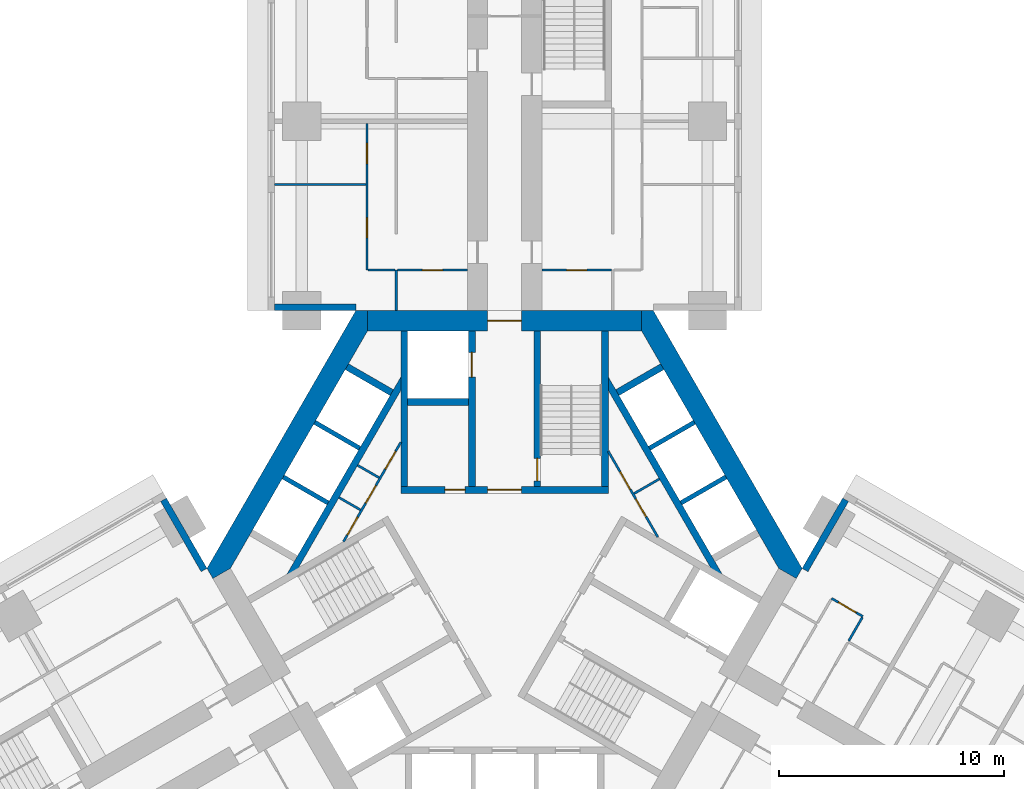
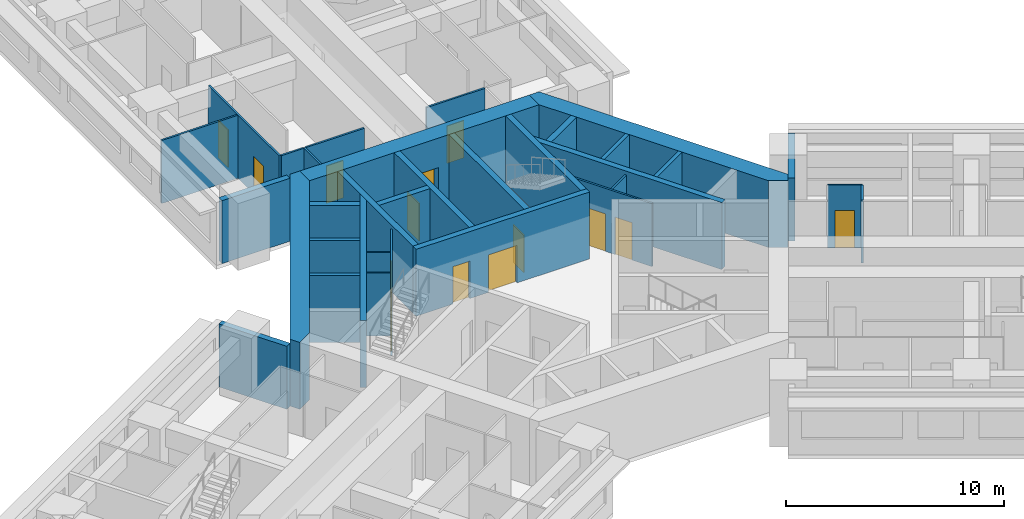
# One storey, part 8 of 16: 33 walls, 15 doors, 15 openings.
"""IFC4 building model written with IfcOpenShell, lengths in metres."""

from ifc_helpers import new_model, si_unit, direction, frame, frame_2d, origin, place, context, subcontext, project, spatial, polyline, rectangle, outline, extrude, material, layer, layer_set, type_object, element, fill, save


model = new_model("IFC4")

# Units and contexts
model_context = context("Model", 3, precision=1e-05, world=origin(), true_north=direction((0.0, 1.0)))
body_context = subcontext(model_context, "Body", "Model", "MODEL_VIEW")
ifc_project = project(units=[si_unit("LENGTHUNIT", "METRE"), si_unit("AREAUNIT", "SQUARE_METRE"), si_unit("VOLUMEUNIT", "CUBIC_METRE"), si_unit("PLANEANGLEUNIT", "RADIAN"), si_unit("MASSUNIT", "GRAM", prefix="KILO")], contexts=[model_context])

# Site, building, storey
site_placement = place(None, origin())
site = spatial("IfcSite", under=ifc_project, at=site_placement, CompositionType="ELEMENT")
building_placement = place(site_placement, origin())
building = spatial("IfcBuilding", under=site, at=building_placement, Name="Impinga Residences", CompositionType="ELEMENT")
storey_placement = place(building_placement, frame((0.0, 0.0, 44.75)))
storey = spatial("IfcBuildingStorey", under=building, at=storey_placement, Name="L10", CompositionType="ELEMENT", Elevation=44.75)

# Wall, openings, doors
ifc_material_1 = material(Name="Concrete blockwork", Category="masonry")
ifc_layer_1 = layer(ifc_material_1, 0.10009765625)
ifc_layer_set_1 = layer_set([ifc_layer_1], Name="CP1 core room partition, blockwork 100")
wall_type_1 = type_object("IfcWallType", Name="CP1 core room partition, blockwork 100", PredefinedType="PARTITIONING", material=ifc_layer_set_1)
wall_1_placement = place(storey_placement, frame((4.60009765625, 5.195556640625, 0.0), z_axis=(0.0, 0.0, 1.0), x_axis=(0.500001098885, -0.866024769342, 0.0)))
wall_1 = element("IfcWall", 1, at=wall_1_placement, inside=storey, type_object=wall_type_1, Name="Core room partition, blockwork L10:CORE:mid:FP", PredefinedType="PARTITIONING", context=body_context, shape_type="SweptSolid", body=[
    extrude(rectangle(XDim=4.39892578125, YDim=0.10009765625, at=frame_2d((2.199462890625, 0.0))), origin(), (0.0, 0.0, 1.0), 3.530029296875),
])
opening_1_placement = place(wall_1_placement, frame((1.049560546875, 0.0, 0.0)))
opening_1 = element("IfcOpeningElement", 2, at=opening_1_placement, cuts=wall_1, Name="Opening D6", PredefinedType="OPENING", context=body_context, shape_type="SweptSolid", body=[
    extrude(rectangle(XDim=0.89990234375, YDim=2.10009765625, at=frame_2d((0.449951171875, 1.050048828125))), frame((0.0, 0.06005859375, 0.0), z_axis=(0.0, -1.0, 0.0), x_axis=(1.0, 0.0, 0.0)), (0.0, 0.0, 1.0), 0.1201171875),
])
opening_2_placement = place(wall_1_placement, frame((2.449462890625, 0.0, 0.0)))
opening_2 = element("IfcOpeningElement", 3, at=opening_2_placement, cuts=wall_1, Name="Opening D6", PredefinedType="OPENING", context=body_context, shape_type="SweptSolid", body=[
    extrude(rectangle(XDim=0.89990234375, YDim=2.10009765625, at=frame_2d((0.449951171875, 1.050048828125))), frame((0.0, 0.06005859375, 0.0), z_axis=(0.0, -1.0, 0.0), x_axis=(1.0, 0.0, 0.0)), (0.0, 0.0, 1.0), 0.1201171875),
])
ifc_material_2 = material(Name="Timber door set", Category="wood")
door_type_1 = type_object("IfcDoorType", Name="D6 riser and store door 900x2100", OperationType="SINGLE_SWING_LEFT", PredefinedType="DOOR", material=ifc_material_2)
door_1_placement = place(opening_1_placement, origin())
door_1 = element("IfcDoor", 4, at=door_1_placement, inside=storey, type_object=door_type_1, Name="Cleaners' store door", OperationType="SINGLE_SWING_LEFT", OverallHeight=2.10009765625, OverallWidth=0.89990234375, PredefinedType="DOOR", context=body_context, shape_type="SweptSolid", body=[
    extrude(rectangle(XDim=0.89990234375, YDim=2.10009765625, at=frame_2d((0.449951171875, 1.050048828125))), frame((0.0, 0.02490234375, 0.0), z_axis=(0.0, -1.0, 0.0), x_axis=(1.0, 0.0, 0.0)), (0.0, 0.0, 1.0), 0.050048828125),
])
fill(opening_1, door_1)
door_2_placement = place(opening_2_placement, origin())
door_2 = element("IfcDoor", 5, at=door_2_placement, inside=storey, type_object=door_type_1, Name="Parcel store door", OperationType="SINGLE_SWING_RIGHT", OverallHeight=2.10009765625, OverallWidth=0.89990234375, PredefinedType="DOOR", context=body_context, shape_type="SweptSolid", body=[
    extrude(rectangle(XDim=0.89990234375, YDim=2.10009765625, at=frame_2d((0.449951171875, 1.050048828125))), frame((0.0, 0.02490234375, 0.0), z_axis=(0.0, -1.0, 0.0), x_axis=(1.0, 0.0, 0.0)), (0.0, 0.0, 1.0), 0.050048828125),
])
fill(opening_2, door_2)

# Wall
wall_2_placement = place(storey_placement, frame((5.7431640625, 3.315673828125, 0.0), z_axis=(0.0, 0.0, 1.0), x_axis=(0.86595725628, 0.500118016368, 0.0)))
element("IfcWall", 6, at=wall_2_placement, inside=storey, type_object=wall_type_1, Name="Core room partition, blockwork L10:CORE:mid:FS", PredefinedType="PARTITIONING", context=body_context, shape_type="SweptSolid", body=[
    extrude(rectangle(XDim=1.300048828125, YDim=0.10009765625, at=frame_2d((0.64990234375, 0.0))), origin(), (0.0, 0.0, 1.0), 3.530029296875),
])

# Wall, openings, doors
wall_3_placement = place(storey_placement, frame((-7.14599609375, 1.185791015625, 0.0), z_axis=(0.0, 0.0, 1.0), x_axis=(0.499975622669, 0.866039477586, 0.0)))
wall_3 = element("IfcWall", 7, at=wall_3_placement, inside=storey, type_object=wall_type_1, Name="Core room partition, blockwork L10:CORE:high:FP", PredefinedType="PARTITIONING", context=body_context, shape_type="SweptSolid", body=[
    extrude(rectangle(XDim=5.092041015625, YDim=0.10009765625, at=frame_2d((2.5458984375, 0.0))), origin(), (0.0, 0.0, 1.0), 3.530029296875),
])
opening_3_placement = place(wall_3_placement, frame((0.347900390625, 0.0, 0.0)))
opening_3 = element("IfcOpeningElement", 8, at=opening_3_placement, cuts=wall_3, Name="Opening D6", PredefinedType="OPENING", context=body_context, shape_type="SweptSolid", body=[
    extrude(rectangle(XDim=0.89990234375, YDim=2.10009765625, at=frame_2d((0.449951171875, 1.050048828125))), frame((0.0, 0.06005859375, 0.0), z_axis=(0.0, -1.0, 0.0), x_axis=(1.0, 0.0, 0.0)), (0.0, 0.0, 1.0), 0.1201171875),
])
opening_4_placement = place(wall_3_placement, frame((1.970947265625, 0.0, 0.0)))
opening_4 = element("IfcOpeningElement", 9, at=opening_4_placement, cuts=wall_3, Name="Opening D6", PredefinedType="OPENING", context=body_context, shape_type="SweptSolid", body=[
    extrude(rectangle(XDim=0.89990234375, YDim=2.10009765625, at=frame_2d((0.449951171875, 1.050048828125))), frame((0.0, 0.06005859375, 0.0), z_axis=(0.0, -1.0, 0.0), x_axis=(1.0, 0.0, 0.0)), (0.0, 0.0, 1.0), 0.1201171875),
])
opening_5_placement = place(wall_3_placement, frame((3.718994140625, 0.0, 0.0)))
opening_5 = element("IfcOpeningElement", 10, at=opening_5_placement, cuts=wall_3, Name="Opening D6", PredefinedType="OPENING", context=body_context, shape_type="SweptSolid", body=[
    extrude(rectangle(XDim=0.89990234375, YDim=2.10009765625, at=frame_2d((0.449951171875, 1.050048828125))), frame((0.0, 0.06005859375, 0.0), z_axis=(0.0, -1.0, 0.0), x_axis=(1.0, 0.0, 0.0)), (0.0, 0.0, 1.0), 0.1201171875),
])
door_3_placement = place(opening_3_placement, origin())
door_3 = element("IfcDoor", 11, at=door_3_placement, inside=storey, type_object=door_type_1, Name="Riser cupboard door", OperationType="SINGLE_SWING_LEFT", OverallHeight=2.10009765625, OverallWidth=0.89990234375, PredefinedType="DOOR", context=body_context, shape_type="SweptSolid", body=[
    extrude(rectangle(XDim=0.89990234375, YDim=2.10009765625, at=frame_2d((0.449951171875, 1.050048828125))), frame((0.0, 0.02490234375, 0.0), z_axis=(0.0, -1.0, 0.0), x_axis=(1.0, 0.0, 0.0)), (0.0, 0.0, 1.0), 0.050048828125),
])
fill(opening_3, door_3)
door_4_placement = place(opening_4_placement, origin())
door_4 = element("IfcDoor", 12, at=door_4_placement, inside=storey, type_object=door_type_1, Name="Linen store door", OperationType="SINGLE_SWING_LEFT", OverallHeight=2.10009765625, OverallWidth=0.89990234375, PredefinedType="DOOR", context=body_context, shape_type="SweptSolid", body=[
    extrude(rectangle(XDim=0.89990234375, YDim=2.10009765625, at=frame_2d((0.449951171875, 1.050048828125))), frame((0.0, 0.02490234375, 0.0), z_axis=(0.0, -1.0, 0.0), x_axis=(1.0, 0.0, 0.0)), (0.0, 0.0, 1.0), 0.050048828125),
])
fill(opening_4, door_4)
door_5_placement = place(opening_5_placement, origin())
door_5 = element("IfcDoor", 13, at=door_5_placement, inside=storey, type_object=door_type_1, Name="Bulky waste store door", OperationType="SINGLE_SWING_RIGHT", OverallHeight=2.10009765625, OverallWidth=0.89990234375, PredefinedType="DOOR", context=body_context, shape_type="SweptSolid", body=[
    extrude(rectangle(XDim=0.89990234375, YDim=2.10009765625, at=frame_2d((0.449951171875, 1.050048828125))), frame((0.0, 0.02490234375, 0.0), z_axis=(0.0, -1.0, 0.0), x_axis=(1.0, 0.0, 0.0)), (0.0, 0.0, 1.0), 0.050048828125),
])
fill(opening_5, door_5)

# Walls
for number, where, z_axis, x_axis, name in (
    (14, (-6.391357421875, 2.593017578125, 0.0), (0.0, 0.0, 1.0), (-0.866008176907, 0.50002983664, 0.0), "Core room partition, blockwork L10:CORE:high:FS1"),
    (15, (-5.566162109375, 4.02197265625, 0.0), (0.0, 0.0, 1.0), (-0.866008176907, 0.50002983664, 0.0), "Core room partition, blockwork L10:CORE:high:FS2"),
):
    element("IfcWall", number, at=place(storey_placement, frame(where, z_axis=z_axis, x_axis=x_axis)), inside=storey, type_object=wall_type_1, Name=name, PredefinedType="PARTITIONING", context=body_context, shape_type="SweptSolid", body=[
        extrude(rectangle(XDim=1.10009765625, YDim=0.10009765625, at=frame_2d((0.550048828125, 0.0))), origin(), (0.0, 0.0, 1.0), 3.530029296875),
    ])
ifc_material_3 = material(Name="Terracotta rainscreen on blockwork", Category="masonry")
ifc_layer_2 = layer(ifc_material_3, 0.300048828125)
ifc_layer_set_2 = layer_set([ifc_layer_2], Name="EW1 external wall, terracotta rainscreen on blockwork 300")
wall_type_2 = type_object("IfcWallType", Name="EW1 external wall, terracotta rainscreen on blockwork 300", PredefinedType="SOLIDWALL", material=ifc_layer_set_2)
wall_4_placement = place(storey_placement, frame((-15.1298828125, 3.042724609375, 0.0), z_axis=(0.0, 0.0, 1.0), x_axis=(0.500012057535, -0.866018442252, 0.0)))
element("IfcWall", 16, at=wall_4_placement, inside=storey, type_object=wall_type_2, Name="External wall EW1 L10", PredefinedType="SOLIDWALL", context=body_context, shape_type="SweptSolid", body=[
    extrude(rectangle(XDim=3.60009765625, YDim=0.300048828125, at=frame_2d((1.800048828125, 0.0))), origin(), (0.0, 0.0, 1.0), 3.530029296875),
])
wall_5_placement = place(storey_placement, frame((-6.60009765625, 11.58154296875, 0.0), z_axis=(0.0, 0.0, 1.0), x_axis=(-1.0, 0.0, 0.0)))
element("IfcWall", 17, at=wall_5_placement, inside=storey, type_object=wall_type_2, Name="External wall EW1 L10", PredefinedType="SOLIDWALL", context=body_context, shape_type="SweptSolid", body=[
    extrude(rectangle(XDim=3.599853515625, YDim=0.300048828125, at=frame_2d((1.7998046875, 0.0))), origin(), (0.0, 0.0, 1.0), 3.530029296875),
])
wall_6_placement = place(storey_placement, frame((13.329833984375, -0.074951171875, 0.0), z_axis=(0.0, 0.0, 1.0), x_axis=(0.500012057535, 0.866018442252, 0.0)))
element("IfcWall", 18, at=wall_6_placement, inside=storey, type_object=wall_type_2, Name="External wall EW1 L10", PredefinedType="SOLIDWALL", context=body_context, shape_type="SweptSolid", body=[
    extrude(rectangle(XDim=3.60009765625, YDim=0.300048828125, at=frame_2d((1.800048828125, 0.0))), origin(), (0.0, 0.0, 1.0), 3.530029296875),
])
ifc_material_4 = material(Name="Gypsum board on steel studs", Category="steel")
ifc_layer_3 = layer(ifc_material_4, 0.10009765625)
ifc_layer_set_3 = layer_set([ifc_layer_3], Name="Gypsum board on steel studs")
wall_type_3 = type_object("IfcWallType", Name="IP1 partition 100", PredefinedType="PARTITIONING", material=ifc_layer_set_3)
wall_7_placement = place(storey_placement, frame((-4.800048828125, 11.431640625, 0.0), z_axis=(0.0, 0.0, 1.0), x_axis=(0.0, 1.0, 0.0)))
element("IfcWall", 19, at=wall_7_placement, inside=storey, type_object=wall_type_3, Name="Partition L10-NA1:DIV0", PredefinedType="PARTITIONING", context=body_context, shape_type="SweptSolid", body=[
    extrude(rectangle(XDim=1.7998046875, YDim=0.10009765625, at=frame_2d((0.89990234375, 0.0))), origin(), (0.0, 0.0, 1.0), 3.530029296875),
])

# Wall, openings, doors
wall_8_placement = place(storey_placement, frame((-6.10009765625, 13.2314453125, 0.0), z_axis=(0.0, 0.0, 1.0), x_axis=(0.0, 1.0, 0.0)))
wall_8 = element("IfcWall", 20, at=wall_8_placement, inside=storey, type_object=wall_type_3, Name="Partition L10-NA1:STRIP", PredefinedType="PARTITIONING", context=body_context, shape_type="SweptSolid", body=[
    extrude(rectangle(XDim=6.5, YDim=0.10009765625, at=frame_2d((3.25, 0.0))), origin(), (0.0, 0.0, 1.0), 3.530029296875),
])
opening_6_placement = place(wall_8_placement, frame((1.425048828125, 0.0, 0.0)))
opening_6 = element("IfcOpeningElement", 21, at=opening_6_placement, cuts=wall_8, Name="Opening D2", PredefinedType="OPENING", context=body_context, shape_type="SweptSolid", body=[
    extrude(rectangle(XDim=0.89990234375, YDim=2.10009765625, at=frame_2d((0.449951171875, 1.050048828125))), frame((0.0, 0.06005859375, 0.0), z_axis=(0.0, -1.0, 0.0), x_axis=(1.0, 0.0, 0.0)), (0.0, 0.0, 1.0), 0.1201171875),
])
opening_7_placement = place(wall_8_placement, frame((4.72509765625, 0.0, 0.0)))
opening_7 = element("IfcOpeningElement", 22, at=opening_7_placement, cuts=wall_8, Name="Opening D2", PredefinedType="OPENING", context=body_context, shape_type="SweptSolid", body=[
    extrude(rectangle(XDim=0.89990234375, YDim=2.10009765625, at=frame_2d((0.449951171875, 1.050048828125))), frame((0.0, 0.06005859375, 0.0), z_axis=(0.0, -1.0, 0.0), x_axis=(1.0, 0.0, 0.0)), (0.0, 0.0, 1.0), 0.1201171875),
])
door_type_2 = type_object("IfcDoorType", Name="D2 internal door 900x2100", OperationType="SINGLE_SWING_LEFT", PredefinedType="DOOR", material=ifc_material_2)
door_6_placement = place(opening_6_placement, origin())
door_6 = element("IfcDoor", 23, at=door_6_placement, inside=storey, type_object=door_type_2, Name="Apartment L10-NA1 room door", OperationType="SINGLE_SWING_LEFT", OverallHeight=2.10009765625, OverallWidth=0.89990234375, PredefinedType="DOOR", context=body_context, shape_type="SweptSolid", body=[
    extrude(rectangle(XDim=0.89990234375, YDim=2.10009765625, at=frame_2d((0.449951171875, 1.050048828125))), frame((0.0, 0.02490234375, 0.0), z_axis=(0.0, -1.0, 0.0), x_axis=(1.0, 0.0, 0.0)), (0.0, 0.0, 1.0), 0.050048828125),
])
fill(opening_6, door_6)
door_7_placement = place(opening_7_placement, origin())
door_7 = element("IfcDoor", 24, at=door_7_placement, inside=storey, type_object=door_type_2, Name="Apartment L10-NA1 room door", OperationType="SINGLE_SWING_RIGHT", OverallHeight=2.10009765625, OverallWidth=0.89990234375, PredefinedType="DOOR", context=body_context, shape_type="SweptSolid", body=[
    extrude(rectangle(XDim=0.89990234375, YDim=2.10009765625, at=frame_2d((0.449951171875, 1.050048828125))), frame((0.0, 0.02490234375, 0.0), z_axis=(0.0, -1.0, 0.0), x_axis=(1.0, 0.0, 0.0)), (0.0, 0.0, 1.0), 0.050048828125),
])
fill(opening_7, door_7)

# Wall
wall_9_placement = place(storey_placement, frame((-4.85009765625, 13.2314453125, 0.0), z_axis=(0.0, 0.0, 1.0), x_axis=(-1.0, 0.0, 0.0)))
element("IfcWall", 25, at=wall_9_placement, inside=storey, type_object=wall_type_3, Name="Partition L10-NA1:SE0", PredefinedType="PARTITIONING", context=body_context, shape_type="SweptSolid", body=[
    extrude(rectangle(XDim=1.199951171875, YDim=0.10009765625, at=frame_2d((0.60009765625, 0.0))), origin(), (0.0, 0.0, 1.0), 3.530029296875),
])

# Wall, opening, door
wall_10_placement = place(storey_placement, frame((-1.64990234375, 13.2314453125, 0.0), z_axis=(0.0, 0.0, 1.0), x_axis=(-1.0, 0.0, 0.0)))
wall_10 = element("IfcWall", 26, at=wall_10_placement, inside=storey, type_object=wall_type_3, Name="Partition L10-NA1:IB1", PredefinedType="PARTITIONING", context=body_context, shape_type="SweptSolid", body=[
    extrude(rectangle(XDim=3.10009765625, YDim=0.10009765625, at=frame_2d((1.550048828125, 0.0))), origin(), (0.0, 0.0, 1.0), 3.530029296875),
])
opening_8_placement = place(wall_10_placement, frame((1.10009765625, 0.0, 0.0)))
opening_8 = element("IfcOpeningElement", 27, at=opening_8_placement, cuts=wall_10, Name="Opening D2", PredefinedType="OPENING", context=body_context, shape_type="SweptSolid", body=[
    extrude(rectangle(XDim=0.89990234375, YDim=2.10009765625, at=frame_2d((0.449951171875, 1.050048828125))), frame((0.0, 0.06005859375, 0.0), z_axis=(0.0, -1.0, 0.0), x_axis=(1.0, 0.0, 0.0)), (0.0, 0.0, 1.0), 0.1201171875),
])
door_8_placement = place(opening_8_placement, origin())
door_8 = element("IfcDoor", 28, at=door_8_placement, inside=storey, type_object=door_type_2, Name="Apartment L10-NA1 bathroom door", OperationType="SINGLE_SWING_LEFT", OverallHeight=2.10009765625, OverallWidth=0.89990234375, PredefinedType="DOOR", context=body_context, shape_type="SweptSolid", body=[
    extrude(rectangle(XDim=0.89990234375, YDim=2.10009765625, at=frame_2d((0.449951171875, 1.050048828125))), frame((0.0, 0.02490234375, 0.0), z_axis=(0.0, -1.0, 0.0), x_axis=(1.0, 0.0, 0.0)), (0.0, 0.0, 1.0), 0.050048828125),
])
fill(opening_8, door_8)

# Wall
wall_11_placement = place(storey_placement, frame((-6.14990234375, 17.031494140625, 0.0), z_axis=(0.0, 0.0, 1.0), x_axis=(-1.0, 0.0, 0.0)))
element("IfcWall", 29, at=wall_11_placement, inside=storey, type_object=wall_type_3, Name="Partition L10-NA1:OB1", PredefinedType="PARTITIONING", context=body_context, shape_type="SweptSolid", body=[
    extrude(rectangle(XDim=4.050048828125, YDim=0.10009765625, at=frame_2d((2.02490234375, 0.0))), origin(), (0.0, 0.0, 1.0), 3.530029296875),
])

# Wall, opening, door
wall_12_placement = place(storey_placement, frame((1.64990234375, 13.2314453125, 0.0), z_axis=(0.0, 0.0, 1.0), x_axis=(1.0, 0.0, 0.0)))
wall_12 = element("IfcWall", 30, at=wall_12_placement, inside=storey, type_object=wall_type_3, Name="Partition L10-NF1:IB1", PredefinedType="PARTITIONING", context=body_context, shape_type="SweptSolid", body=[
    extrude(rectangle(XDim=3.10009765625, YDim=0.10009765625, at=frame_2d((1.550048828125, 0.0))), origin(), (0.0, 0.0, 1.0), 3.530029296875),
])
opening_9_placement = place(wall_12_placement, frame((1.10009765625, 0.0, 0.0)))
opening_9 = element("IfcOpeningElement", 31, at=opening_9_placement, cuts=wall_12, Name="Opening D2", PredefinedType="OPENING", context=body_context, shape_type="SweptSolid", body=[
    extrude(rectangle(XDim=0.89990234375, YDim=2.10009765625, at=frame_2d((0.449951171875, 1.050048828125))), frame((0.0, 0.06005859375, 0.0), z_axis=(0.0, -1.0, 0.0), x_axis=(1.0, 0.0, 0.0)), (0.0, 0.0, 1.0), 0.1201171875),
])
door_9_placement = place(opening_9_placement, origin())
door_9 = element("IfcDoor", 32, at=door_9_placement, inside=storey, type_object=door_type_2, Name="Apartment L10-NF1 bathroom door", OperationType="SINGLE_SWING_LEFT", OverallHeight=2.10009765625, OverallWidth=0.89990234375, PredefinedType="DOOR", context=body_context, shape_type="SweptSolid", body=[
    extrude(rectangle(XDim=0.89990234375, YDim=2.10009765625, at=frame_2d((0.449951171875, 1.050048828125))), frame((0.0, 0.02490234375, 0.0), z_axis=(0.0, -1.0, 0.0), x_axis=(1.0, 0.0, 0.0)), (0.0, 0.0, 1.0), 0.050048828125),
])
fill(opening_9, door_9)

wall_13_placement = place(storey_placement, frame((14.5087890625, -1.3330078125, 0.0), z_axis=(0.0, 0.0, 1.0), x_axis=(0.866028054938, -0.499995408039, 0.0)))
wall_13 = element("IfcWall", 33, at=wall_13_placement, inside=storey, type_object=wall_type_3, Name="Partition L10-EA1:STRIP", PredefinedType="PARTITIONING", context=body_context, shape_type="SweptSolid", body=[
    extrude(rectangle(XDim=1.60009765625, YDim=0.10009765625, at=frame_2d((0.800048828125, 0.0))), origin(), (0.0, 0.0, 1.0), 3.530029296875),
])
opening_10_placement = place(wall_13_placement, frame((0.35009765625, 0.0, 0.0)))
opening_10 = element("IfcOpeningElement", 34, at=opening_10_placement, cuts=wall_13, Name="Opening D2", PredefinedType="OPENING", context=body_context, shape_type="SweptSolid", body=[
    extrude(rectangle(XDim=0.89990234375, YDim=2.10009765625, at=frame_2d((0.449951171875, 1.050048828125))), frame((0.0, 0.06005859375, 0.0), z_axis=(0.0, -1.0, 0.0), x_axis=(1.0, 0.0, 0.0)), (0.0, 0.0, 1.0), 0.1201171875),
])
door_10_placement = place(opening_10_placement, origin())
door_10 = element("IfcDoor", 35, at=door_10_placement, inside=storey, type_object=door_type_2, Name="Apartment L10-EA1 room door", OperationType="SINGLE_SWING_LEFT", OverallHeight=2.10009765625, OverallWidth=0.89990234375, PredefinedType="DOOR", context=body_context, shape_type="SweptSolid", body=[
    extrude(rectangle(XDim=0.89990234375, YDim=2.10009765625, at=frame_2d((0.449951171875, 1.050048828125))), frame((0.0, 0.02490234375, 0.0), z_axis=(0.0, -1.0, 0.0), x_axis=(1.0, 0.0, 0.0)), (0.0, 0.0, 1.0), 0.050048828125),
])
fill(opening_10, door_10)

# Wall
wall_14_placement = place(storey_placement, frame((15.26953125, -3.215576171875, 0.0), z_axis=(0.0, 0.0, 1.0), x_axis=(0.499880961361, 0.866094119867, 0.0)))
element("IfcWall", 36, at=wall_14_placement, inside=storey, type_object=wall_type_3, Name="Partition L10-EA1:SE1", PredefinedType="PARTITIONING", context=body_context, shape_type="SweptSolid", body=[
    extrude(rectangle(XDim=1.199951171875, YDim=0.10009765625, at=frame_2d((0.60009765625, 0.0))), origin(), (0.0, 0.0, 1.0), 3.530029296875),
])

# Wall, opening, door
ifc_material_5 = material(Name="Concrete C70/85", Category="concrete")
ifc_layer_4 = layer(ifc_material_5, 0.89990234375)
ifc_layer_set_4 = layer_set([ifc_layer_4], Name="Concrete C70/85")
wall_type_4 = type_object("IfcWallType", Name="SW1 core wall 900", PredefinedType="SHEAR", material=ifc_layer_set_4)
wall_15_placement = place(storey_placement, frame((-6.080322265625, 10.9814453125, 0.0), z_axis=(0.0, 0.0, 1.0), x_axis=(1.0, 0.0, 0.0)))
wall_15 = element("IfcWall", 37, at=wall_15_placement, inside=storey, type_object=wall_type_4, Name="Core wall SW1 N:FACE L10", PredefinedType="SHEAR", context=body_context, shape_type="SweptSolid", body=[
    extrude(rectangle(XDim=12.16064453125, YDim=0.89990234375, at=frame_2d((6.080322265625, 0.0))), origin(), (0.0, 0.0, 1.0), 3.75),
])
opening_11_placement = place(wall_15_placement, frame((5.330322265625, 0.0, 0.0)))
opening_11 = element("IfcOpeningElement", 38, at=opening_11_placement, cuts=wall_15, Name="Opening D4", PredefinedType="OPENING", context=body_context, shape_type="SweptSolid", body=[
    extrude(rectangle(XDim=1.5, YDim=2.10009765625, at=frame_2d((0.75, 1.050048828125))), frame((0.0, 0.4599609375, 0.0), z_axis=(0.0, -1.0, 0.0), x_axis=(1.0, 0.0, 0.0)), (0.0, 0.0, 1.0), 0.919921875),
])
door_type_3 = type_object("IfcDoorType", Name="D4 lobby door pair 1500x2100", OperationType="DOUBLE_DOOR_DOUBLE_SWING", PredefinedType="DOOR", material=ifc_material_2)
door_11_placement = place(opening_11_placement, origin())
door_11 = element("IfcDoor", 39, at=door_11_placement, inside=storey, type_object=door_type_3, Name="Lobby door N", OperationType="DOUBLE_DOOR_DOUBLE_SWING", OverallHeight=2.10009765625, OverallWidth=1.5, PredefinedType="DOOR", context=body_context, shape_type="SweptSolid", body=[
    extrude(rectangle(XDim=1.5, YDim=2.10009765625, at=frame_2d((0.75, 1.050048828125))), frame((0.0, 0.02490234375, 0.0), z_axis=(0.0, -1.0, 0.0), x_axis=(1.0, 0.0, 0.0)), (0.0, 0.0, 1.0), 0.050048828125),
])
fill(opening_11, door_11)

# Walls
wall_16_placement = place(storey_placement, origin())
element("IfcWall", 40, at=wall_16_placement, inside=storey, type_object=wall_type_4, Name="Core wall SW1 W:EXPOSED L10", PredefinedType="SHEAR", context=body_context, shape_type="SweptSolid", body=[
    extrude(outline(polyline([(13.199951171875, 0.0), (6.60009765625, 11.431640625), (6.080322265625, 11.431640625), (6.080322265625, 10.531494140625), (12.160888671875, 0.0), (12.940185546875, -0.449951171875), (13.199951171875, 0.0)])), origin(), (0.0, 0.0, 1.0), 3.75),
])
wall_17_placement = place(storey_placement, origin())
element("IfcWall", 41, at=wall_17_placement, inside=storey, type_object=wall_type_4, Name="Core wall SW1 E:EXPOSED L10", PredefinedType="SHEAR", context=body_context, shape_type="SweptSolid", body=[
    extrude(outline(polyline([(-6.60009765625, 11.431640625), (-13.199951171875, 0.0), (-12.940185546875, -0.449951171875), (-12.160888671875, 0.0), (-6.080322265625, 10.531494140625), (-6.080322265625, 11.431640625), (-6.60009765625, 11.431640625)])), origin(), (0.0, 0.0, 1.0), 3.75),
])

# Wall, openings, doors
ifc_layer_5 = layer(ifc_material_5, 0.300048828125)
ifc_layer_set_5 = layer_set([ifc_layer_5], Name="Concrete C70/85")
wall_type_5 = type_object("IfcWallType", Name="SW5 core inner wall, stairs, shafts and lobbies 300", PredefinedType="SHEAR", material=ifc_layer_set_5)
wall_18_placement = place(storey_placement, frame((-4.60009765625, 3.47998046875, 0.0), z_axis=(0.0, 0.0, 1.0), x_axis=(1.0, 0.0, 0.0)))
wall_18 = element("IfcWall", 42, at=wall_18_placement, inside=storey, type_object=wall_type_5, Name="Core wall SW5 N:ZONE L10", PredefinedType="SHEAR", context=body_context, shape_type="SweptSolid", body=[
    extrude(rectangle(XDim=9.2001953125, YDim=0.300048828125, at=frame_2d((4.60009765625, 0.0))), origin(), (0.0, 0.0, 1.0), 3.75),
])
opening_12_placement = place(wall_18_placement, frame((3.85009765625, 0.0, 0.0)))
opening_12 = element("IfcOpeningElement", 43, at=opening_12_placement, cuts=wall_18, Name="Opening D4", PredefinedType="OPENING", context=body_context, shape_type="SweptSolid", body=[
    extrude(rectangle(XDim=1.5, YDim=2.10009765625, at=frame_2d((0.75, 1.050048828125))), frame((0.0, 0.159912109375, 0.0), z_axis=(0.0, -1.0, 0.0), x_axis=(1.0, 0.0, 0.0)), (0.0, 0.0, 1.0), 0.320068359375),
])
opening_13_placement = place(wall_18_placement, frame((1.949951171875, 0.0, 0.0)))
opening_13 = element("IfcOpeningElement", 44, at=opening_13_placement, cuts=wall_18, Name="Opening D6", PredefinedType="OPENING", context=body_context, shape_type="SweptSolid", body=[
    extrude(rectangle(XDim=0.89990234375, YDim=2.10009765625, at=frame_2d((0.449951171875, 1.050048828125))), frame((0.0, 0.159912109375, 0.0), z_axis=(0.0, -1.0, 0.0), x_axis=(1.0, 0.0, 0.0)), (0.0, 0.0, 1.0), 0.320068359375),
])
door_12_placement = place(opening_12_placement, origin())
door_12 = element("IfcDoor", 45, at=door_12_placement, inside=storey, type_object=door_type_3, Name="Firefighting lobby door N", OperationType="DOUBLE_DOOR_DOUBLE_SWING", OverallHeight=2.10009765625, OverallWidth=1.5, PredefinedType="DOOR", context=body_context, shape_type="SweptSolid", body=[
    extrude(rectangle(XDim=1.5, YDim=2.10009765625, at=frame_2d((0.75, 1.050048828125))), frame((0.0, 0.02490234375, 0.0), z_axis=(0.0, -1.0, 0.0), x_axis=(1.0, 0.0, 0.0)), (0.0, 0.0, 1.0), 0.050048828125),
])
fill(opening_12, door_12)
door_13_placement = place(opening_13_placement, origin())
door_13 = element("IfcDoor", 46, at=door_13_placement, inside=storey, type_object=door_type_1, Name="Riser door N", OperationType="SINGLE_SWING_LEFT", OverallHeight=2.10009765625, OverallWidth=0.89990234375, PredefinedType="DOOR", context=body_context, shape_type="SweptSolid", body=[
    extrude(rectangle(XDim=0.89990234375, YDim=2.10009765625, at=frame_2d((0.449951171875, 1.050048828125))), frame((0.0, 0.02490234375, 0.0), z_axis=(0.0, -1.0, 0.0), x_axis=(1.0, 0.0, 0.0)), (0.0, 0.0, 1.0), 0.050048828125),
])
fill(opening_13, door_13)

# Wall, opening, door
wall_19_placement = place(storey_placement, frame((1.449951171875, 3.6298828125, 0.0), z_axis=(0.0, 0.0, 1.0), x_axis=(0.0, 1.0, 0.0)))
wall_19 = element("IfcWall", 47, at=wall_19_placement, inside=storey, type_object=wall_type_5, Name="Core wall SW5 N:ST-IN L10", PredefinedType="SHEAR", context=body_context, shape_type="SweptSolid", body=[
    extrude(rectangle(XDim=6.901611328125, YDim=0.300048828125, at=frame_2d((3.45068359375, 0.0))), origin(), (0.0, 0.0, 1.0), 3.75),
])
opening_14_placement = place(wall_19_placement, frame((0.25, 0.0, 0.0)))
opening_14 = element("IfcOpeningElement", 48, at=opening_14_placement, cuts=wall_19, Name="Opening D5", PredefinedType="OPENING", context=body_context, shape_type="SweptSolid", body=[
    extrude(rectangle(XDim=1.0, YDim=2.10009765625, at=frame_2d((0.5, 1.050048828125))), frame((0.0, 0.159912109375, 0.0), z_axis=(0.0, -1.0, 0.0), x_axis=(1.0, 0.0, 0.0)), (0.0, 0.0, 1.0), 0.320068359375),
])
door_type_4 = type_object("IfcDoorType", Name="D5 stair door 1000x2100", OperationType="SINGLE_SWING_LEFT", PredefinedType="DOOR", material=ifc_material_2)
door_14_placement = place(opening_14_placement, origin())
door_14 = element("IfcDoor", 49, at=door_14_placement, inside=storey, type_object=door_type_4, Name="Stair door N", OperationType="SINGLE_SWING_LEFT", OverallHeight=2.10009765625, OverallWidth=1.0, PredefinedType="DOOR", context=body_context, shape_type="SweptSolid", body=[
    extrude(rectangle(XDim=1.0, YDim=2.10009765625, at=frame_2d((0.5, 1.050048828125))), frame((0.0, 0.02490234375, 0.0), z_axis=(0.0, -1.0, 0.0), x_axis=(1.0, 0.0, 0.0)), (0.0, 0.0, 1.0), 0.050048828125),
])
fill(opening_14, door_14)

# Wall
wall_20_placement = place(storey_placement, frame((4.449951171875, 3.6298828125, 0.0), z_axis=(0.0, 0.0, 1.0), x_axis=(0.0, 1.0, 0.0)))
element("IfcWall", 50, at=wall_20_placement, inside=storey, type_object=wall_type_5, Name="Core wall SW5 N:ST-OUT L10", PredefinedType="SHEAR", context=body_context, shape_type="SweptSolid", body=[
    extrude(rectangle(XDim=6.901611328125, YDim=0.300048828125, at=frame_2d((3.45068359375, 0.0))), origin(), (0.0, 0.0, 1.0), 3.75),
])

# Wall, opening, door
wall_21_placement = place(storey_placement, frame((-1.449951171875, 3.6298828125, 0.0), z_axis=(0.0, 0.0, 1.0), x_axis=(0.0, 1.0, 0.0)))
wall_21 = element("IfcWall", 51, at=wall_21_placement, inside=storey, type_object=wall_type_5, Name="Core wall SW5 N:FF-IN L10", PredefinedType="SHEAR", context=body_context, shape_type="SweptSolid", body=[
    extrude(rectangle(XDim=6.901611328125, YDim=0.300048828125, at=frame_2d((3.45068359375, 0.0))), origin(), (0.0, 0.0, 1.0), 3.75),
])
opening_15_placement = place(wall_21_placement, frame((4.85009765625, 0.0, 0.0)))
opening_15 = element("IfcOpeningElement", 52, at=opening_15_placement, cuts=wall_21, Name="Opening LD2", PredefinedType="OPENING", context=body_context, shape_type="SweptSolid", body=[
    extrude(rectangle(XDim=1.10009765625, YDim=2.10009765625, at=frame_2d((0.550048828125, 1.050048828125))), frame((0.0, 0.159912109375, 0.0), z_axis=(0.0, -1.0, 0.0), x_axis=(1.0, 0.0, 0.0)), (0.0, 0.0, 1.0), 0.320068359375),
])
ifc_material_6 = material(Name="Steel lift landing door", Category="steel")
door_type_5 = type_object("IfcDoorType", Name="LD2 firefighting lift landing door 1100x2100", OperationType="DOUBLE_DOOR_SLIDING", PredefinedType="DOOR", material=ifc_material_6)
door_15_placement = place(opening_15_placement, origin())
door_15 = element("IfcDoor", 53, at=door_15_placement, inside=storey, type_object=door_type_5, Name="Firefighting lift landing door F1", OperationType="DOUBLE_DOOR_SLIDING", OverallHeight=2.10009765625, OverallWidth=1.10009765625, PredefinedType="DOOR", context=body_context, shape_type="SweptSolid", body=[
    extrude(rectangle(XDim=1.10009765625, YDim=2.10009765625, at=frame_2d((0.550048828125, 1.050048828125))), frame((0.0, 0.02490234375, 0.0), z_axis=(0.0, -1.0, 0.0), x_axis=(1.0, 0.0, 0.0)), (0.0, 0.0, 1.0), 0.050048828125),
])
fill(opening_15, door_15)

# Walls
wall_22_placement = place(storey_placement, frame((-4.449951171875, 3.6298828125, 0.0), z_axis=(0.0, 0.0, 1.0), x_axis=(0.0, 1.0, 0.0)))
element("IfcWall", 54, at=wall_22_placement, inside=storey, type_object=wall_type_5, Name="Core wall SW5 N:FF-OUT L10", PredefinedType="SHEAR", context=body_context, shape_type="SweptSolid", body=[
    extrude(rectangle(XDim=6.901611328125, YDim=0.300048828125, at=frame_2d((3.45068359375, 0.0))), origin(), (0.0, 0.0, 1.0), 3.75),
])
wall_23_placement = place(storey_placement, frame((-4.300048828125, 7.3798828125, 0.0), z_axis=(0.0, 0.0, 1.0), x_axis=(1.0, 0.0, 0.0)))
element("IfcWall", 55, at=wall_23_placement, inside=storey, type_object=wall_type_5, Name="Core wall SW5 N:FF-RS L10", PredefinedType="SHEAR", context=body_context, shape_type="SweptSolid", body=[
    extrude(rectangle(XDim=2.699951171875, YDim=0.300048828125, at=frame_2d((1.35009765625, 0.0))), origin(), (0.0, 0.0, 1.0), 3.75),
])
wall_24_placement = place(storey_placement, frame((4.449951171875, 8.455322265625, 0.0), z_axis=(0.0, 0.0, 1.0), x_axis=(0.500002290144, -0.866024081565, 0.0)))
element("IfcWall", 56, at=wall_24_placement, inside=storey, type_object=wall_type_5, Name="Core wall SW5 W:BANK-FRONT L10", PredefinedType="SHEAR", context=body_context, shape_type="SweptSolid", body=[
    extrude(rectangle(XDim=10.1953125, YDim=0.300048828125, at=frame_2d((5.09765625, 0.0))), origin(), (0.0, 0.0, 1.0), 3.75),
])
wall_25_placement = place(storey_placement, frame((5.003662109375, 7.79638671875, 0.0), z_axis=(0.0, 0.0, 1.0), x_axis=(0.866053019151, 0.499952165731, 0.0)))
element("IfcWall", 57, at=wall_25_placement, inside=storey, type_object=wall_type_5, Name="Core wall SW5 W:BANK-L L10", PredefinedType="SHEAR", context=body_context, shape_type="SweptSolid", body=[
    extrude(rectangle(XDim=2.300048828125, YDim=0.300048828125, at=frame_2d((1.14990234375, 0.0))), origin(), (0.0, 0.0, 1.0), 3.75),
])
wall_26_placement = place(storey_placement, frame((-9.547607421875, -0.3740234375, 0.0), z_axis=(0.0, 0.0, 1.0), x_axis=(0.500002290144, 0.866024081565, 0.0)))
element("IfcWall", 58, at=wall_26_placement, inside=storey, type_object=wall_type_5, Name="Core wall SW5 E:BANK-FRONT L10", PredefinedType="SHEAR", context=body_context, shape_type="SweptSolid", body=[
    extrude(rectangle(XDim=10.1953125, YDim=0.300048828125, at=frame_2d((5.09765625, 0.0))), origin(), (0.0, 0.0, 1.0), 3.75),
])
wall_27_placement = place(storey_placement, frame((-5.003662109375, 7.79638671875, 0.0), z_axis=(0.0, 0.0, 1.0), x_axis=(-0.866053019151, 0.499952165731, 0.0)))
element("IfcWall", 59, at=wall_27_placement, inside=storey, type_object=wall_type_5, Name="Core wall SW5 E:BANK-R L10", PredefinedType="SHEAR", context=body_context, shape_type="SweptSolid", body=[
    extrude(rectangle(XDim=2.300048828125, YDim=0.300048828125, at=frame_2d((1.14990234375, 0.0))), origin(), (0.0, 0.0, 1.0), 3.75),
])
ifc_layer_6 = layer(ifc_material_5, 0.199951171875)
ifc_layer_set_6 = layer_set([ifc_layer_6], Name="Concrete C70/85")
wall_type_6 = type_object("IfcWallType", Name="SW6 lift shaft divider wall 200", PredefinedType="SHEAR", material=ifc_layer_set_6)
for number, where, z_axis, x_axis, name in (
    (60, (6.4287109375, 5.328125, 0.0), (0.0, 0.0, 1.0), (0.866007057882, 0.500031774688, 0.0), "Core wall SW6 W:BANK-D1 L10"),
    (61, (7.82861328125, 2.9033203125, 0.0), (0.0, 0.0, 1.0), (0.866053019151, 0.499952165731, 0.0), "Core wall SW6 W:BANK-D2 L10"),
    (62, (-7.82861328125, 2.9033203125, 0.0), (0.0, 0.0, 1.0), (-0.866053019151, 0.499952165731, 0.0), "Core wall SW6 E:BANK-D1 L10"),
    (63, (-6.4287109375, 5.328125, 0.0), (0.0, 0.0, 1.0), (-0.866007057882, 0.500031774688, 0.0), "Core wall SW6 E:BANK-D2 L10"),
):
    element("IfcWall", number, at=place(storey_placement, frame(where, z_axis=z_axis, x_axis=x_axis)), inside=storey, type_object=wall_type_6, Name=name, PredefinedType="SHEAR", context=body_context, shape_type="SweptSolid", body=[
        extrude(rectangle(XDim=2.300048828125, YDim=0.199951171875, at=frame_2d((1.14990234375, 0.0))), origin(), (0.0, 0.0, 1.0), 3.75),
    ])

save(model, "model.ifc")
